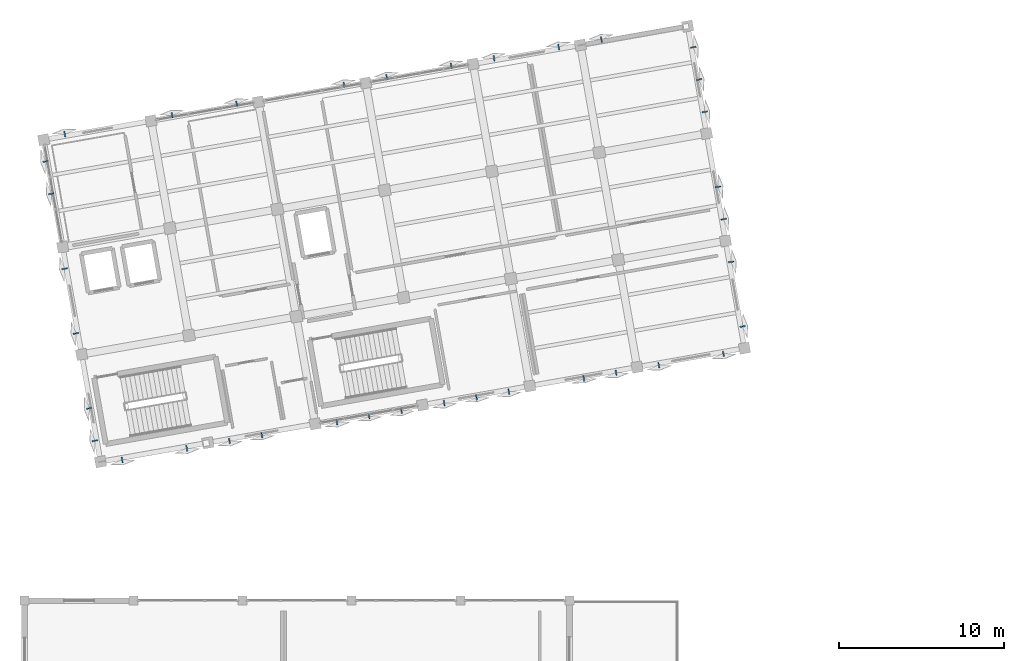
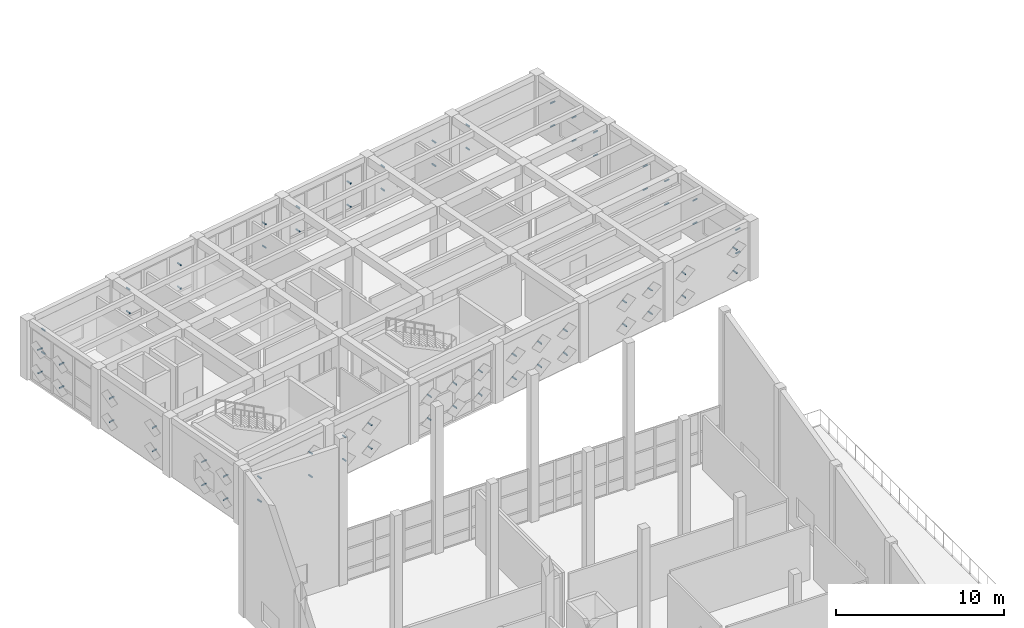
# One storey, part 34 of 39: 72 discrete accessories.
"""IFC4 building model written with IfcOpenShell, lengths in metres."""

from ifc_helpers import new_model, si_unit, direction, frame, origin, origin_2d, place, context, subcontext, project, spatial, hollow_rectangle, extrude, material, type_object, element, save


model = new_model("IFC4")

# Units and contexts
model_context = context("Model", 3, precision=1e-05, world=origin(), true_north=direction((0.0, 1.0)))
body_context = subcontext(model_context, "Body", "Model", "MODEL_VIEW")
ifc_project = project(units=[si_unit("LENGTHUNIT", "METRE"), si_unit("AREAUNIT", "SQUARE_METRE"), si_unit("VOLUMEUNIT", "CUBIC_METRE"), si_unit("PLANEANGLEUNIT", "RADIAN"), si_unit("MASSUNIT", "GRAM", prefix="KILO")], contexts=[model_context])

# Site, building, storey
site_placement = place(None, origin())
site = spatial("IfcSite", under=ifc_project, at=site_placement, CompositionType="ELEMENT")
building_placement = place(site_placement, origin())
building = spatial("IfcBuilding", under=site, at=building_placement, Name="Kharisveld Research Institute", CompositionType="ELEMENT")
storey_placement = place(building_placement, frame((0.0, 0.0, 18.60009765625)))
storey = spatial("IfcBuildingStorey", under=building, at=storey_placement, Name="L04", CompositionType="ELEMENT", Elevation=18.60009765625)

# Discrete accessories
ifc_material = material(Name="Steel S355JR", Category="steel")
discrete_accessory_type = type_object("IfcDiscreteAccessoryType", Name="BKT_ST_260", PredefinedType="BRACKET")
for number, where, z_axis, x_axis, name in (
    (1, (5.031005859375, 36.313720703125, 1.0498046875), (-0.984804615622, -0.173665969752, 0.0), (0.173665969752, -0.984804615622, 0.0), "BKT-SHD:V1:L04:W0:S0C0"),
    (2, (5.031005859375, 36.313720703125, 2.75), (-0.984804615622, -0.173665969752, 0.0), (0.173665969752, -0.984804615622, 0.0), "BKT-SHD:V1:L04:W0:S0C1"),
    (3, (4.68603515625, 38.270263671875, 1.0498046875), (-0.984804615622, -0.173665969752, 0.0), (0.173665969752, -0.984804615622, 0.0), "BKT-SHD:V1:L04:W0:S1C0"),
    (4, (4.68603515625, 38.270263671875, 2.75), (-0.984804615622, -0.173665969752, 0.0), (0.173665969752, -0.984804615622, 0.0), "BKT-SHD:V1:L04:W0:S1C1"),
    (5, (3.885009765625, 42.8134765625, 1.0498046875), (-0.984804615622, -0.173665969752, 0.0), (0.173665969752, -0.984804615622, 0.0), "BKT-SHD:V1:L04:W1:S0C0"),
    (6, (3.885009765625, 42.8134765625, 2.75), (-0.984804615622, -0.173665969752, 0.0), (0.173665969752, -0.984804615622, 0.0), "BKT-SHD:V1:L04:W1:S0C1"),
    (7, (3.195068359375, 46.7265625, 1.0498046875), (-0.984804615622, -0.173665969752, 0.0), (0.173665969752, -0.984804615622, 0.0), "BKT-SHD:V1:L04:W1:S2C0"),
    (8, (3.195068359375, 46.7265625, 2.75), (-0.984804615622, -0.173665969752, 0.0), (0.173665969752, -0.984804615622, 0.0), "BKT-SHD:V1:L04:W1:S2C1"),
):
    element("IfcDiscreteAccessory", number, at=place(storey_placement, frame(where, z_axis=z_axis, x_axis=x_axis)), inside=storey, type_object=discrete_accessory_type, material=ifc_material, Name=name, ObjectType="BRACKET", PredefinedType="BRACKET", context=body_context, shape_type="SweptSolid", body=[
        extrude(hollow_rectangle(XDim=0.080078125, YDim=0.080078125, WallThickness=0.0048828125, at=origin_2d()), origin(), (0.0, 0.0, 1.0), 0.35009765625),
    ])
for number, where, z_axis, x_axis, name in (
    (9, (2.393798828125, 51.269775390625, 1.0498046875), (-0.984783558818, -0.173785333909, 0.0), (0.173785333909, -0.984783558818, 0.0), "BKT-SHD:V1:L04:W2:S1C0"),
    (10, (2.393798828125, 51.269775390625, 2.75), (-0.984783558818, -0.173785333909, 0.0), (0.173785333909, -0.984783558818, 0.0), "BKT-SHD:V1:L04:W2:S1C1"),
    (11, (2.048828125, 53.226318359375, 1.0498046875), (-0.984783558818, -0.173785333909, 0.0), (0.173785333909, -0.984783558818, 0.0), "BKT-SHD:V1:L04:W2:S2C0"),
    (12, (2.048828125, 53.226318359375, 2.75), (-0.984783558818, -0.173785333909, 0.0), (0.173785333909, -0.984783558818, 0.0), "BKT-SHD:V1:L04:W2:S2C1"),
):
    element("IfcDiscreteAccessory", number, at=place(storey_placement, frame(where, z_axis=z_axis, x_axis=x_axis)), inside=storey, type_object=discrete_accessory_type, material=ifc_material, Name=name, ObjectType="BRACKET", PredefinedType="BRACKET", context=body_context, shape_type="SweptSolid", body=[
        extrude(hollow_rectangle(XDim=0.080078125, YDim=0.080078125, WallThickness=0.0048828125, at=origin_2d()), origin(), (0.0, 0.0, 1.0), 0.349853515625),
    ])
for number, where, z_axis, x_axis, name in (
    (13, (3.065673828125, 54.67822265625, 1.0498046875), (-0.173665969752, 0.984804615622, 0.0), (-0.984804615622, -0.173665969752, 0.0), "BKT-SHD:V1:L04:N0:S0C0"),
    (14, (3.065673828125, 54.67822265625, 2.75), (-0.173665969752, 0.984804615622, 0.0), (-0.984804615622, -0.173665969752, 0.0), "BKT-SHD:V1:L04:N0:S0C1"),
    (15, (9.565185546875, 55.82421875, 1.0498046875), (-0.172989428414, 0.984923681133, 0.0), (-0.984923681133, -0.172989428414, 0.0), "BKT-SHD:V1:L04:N1:S0C0"),
    (16, (9.565185546875, 55.82421875, 2.75), (-0.172989428414, 0.984923681133, 0.0), (-0.984923681133, -0.172989428414, 0.0), "BKT-SHD:V1:L04:N1:S0C1"),
    (17, (13.478271484375, 56.51416015625, 1.0498046875), (-0.173665969752, 0.984804615622, 0.0), (-0.984804615622, -0.173665969752, 0.0), "BKT-SHD:V1:L04:N1:S2C0"),
    (18, (13.478271484375, 56.51416015625, 2.75), (-0.173665969752, 0.984804615622, 0.0), (-0.984804615622, -0.173665969752, 0.0), "BKT-SHD:V1:L04:N1:S2C1"),
):
    element("IfcDiscreteAccessory", number, at=place(storey_placement, frame(where, z_axis=z_axis, x_axis=x_axis)), inside=storey, type_object=discrete_accessory_type, material=ifc_material, Name=name, ObjectType="BRACKET", PredefinedType="BRACKET", context=body_context, shape_type="SweptSolid", body=[
        extrude(hollow_rectangle(XDim=0.080078125, YDim=0.080078125, WallThickness=0.0048828125, at=origin_2d()), origin(), (0.0, 0.0, 1.0), 0.35009765625),
    ])
for number, where, z_axis, x_axis, name in (
    (19, (19.97802734375, 57.660400390625, 1.0498046875), (-0.173785333909, 0.984783558818, 0.0), (-0.984783558818, -0.173785333909, 0.0), "BKT-SHD:V1:L04:N2:S2C0"),
    (20, (19.97802734375, 57.660400390625, 2.75), (-0.173785333909, 0.984783558818, 0.0), (-0.984783558818, -0.173785333909, 0.0), "BKT-SHD:V1:L04:N2:S2C1"),
):
    element("IfcDiscreteAccessory", number, at=place(storey_placement, frame(where, z_axis=z_axis, x_axis=x_axis)), inside=storey, type_object=discrete_accessory_type, material=ifc_material, Name=name, ObjectType="BRACKET", PredefinedType="BRACKET", context=body_context, shape_type="SweptSolid", body=[
        extrude(hollow_rectangle(XDim=0.080078125, YDim=0.080078125, WallThickness=0.0048828125, at=origin_2d()), origin(), (0.0, 0.0, 1.0), 0.349853515625),
    ])
for number, where, z_axis, x_axis, name in (
    (21, (22.564697265625, 58.116455078125, 1.0498046875), (-0.173665969752, 0.984804615622, 0.0), (-0.984804615622, -0.173665969752, 0.0), "BKT-SHD:V1:L04:N3:S0C0"),
    (22, (22.564697265625, 58.116455078125, 2.75), (-0.173665969752, 0.984804615622, 0.0), (-0.984804615622, -0.173665969752, 0.0), "BKT-SHD:V1:L04:N3:S0C1"),
    (23, (26.477783203125, 58.806396484375, 1.0498046875), (-0.173665969752, 0.984804615622, 0.0), (-0.984804615622, -0.173665969752, 0.0), "BKT-SHD:V1:L04:N3:S2C0"),
    (24, (26.477783203125, 58.806396484375, 2.75), (-0.173665969752, 0.984804615622, 0.0), (-0.984804615622, -0.173665969752, 0.0), "BKT-SHD:V1:L04:N3:S2C1"),
    (25, (29.064453125, 59.262451171875, 1.0498046875), (-0.173665969752, 0.984804615622, 0.0), (-0.984804615622, -0.173665969752, 0.0), "BKT-SHD:V1:L04:N4:S0C0"),
    (26, (29.064453125, 59.262451171875, 2.75), (-0.173665969752, 0.984804615622, 0.0), (-0.984804615622, -0.173665969752, 0.0), "BKT-SHD:V1:L04:N4:S0C1"),
    (27, (32.9775390625, 59.952392578125, 1.0498046875), (-0.173665969752, 0.984804615622, 0.0), (-0.984804615622, -0.173665969752, 0.0), "BKT-SHD:V1:L04:N4:S2C0"),
    (28, (32.9775390625, 59.952392578125, 2.75), (-0.173665969752, 0.984804615622, 0.0), (-0.984804615622, -0.173665969752, 0.0), "BKT-SHD:V1:L04:N4:S2C1"),
    (29, (35.564208984375, 60.408447265625, 1.0498046875), (-0.173665969752, 0.984804615622, 0.0), (-0.984804615622, -0.173665969752, 0.0), "BKT-SHD:V1:L04:N5:S0C0"),
    (30, (35.564208984375, 60.408447265625, 2.75), (-0.173665969752, 0.984804615622, 0.0), (-0.984804615622, -0.173665969752, 0.0), "BKT-SHD:V1:L04:N5:S0C1"),
    (31, (40.92919921875, 60.081787109375, 1.0498046875), (0.984804615622, 0.173665969752, 0.0), (-0.173665969752, 0.984804615622, 0.0), "BKT-SHD:V1:L04:E3:S0C0"),
    (32, (40.92919921875, 60.081787109375, 2.75), (0.984804615622, 0.173665969752, 0.0), (-0.173665969752, 0.984804615622, 0.0), "BKT-SHD:V1:L04:E3:S0C1"),
    (33, (41.274169921875, 58.12548828125, 1.0498046875), (0.984923681133, 0.172989428414, 0.0), (-0.172989428414, 0.984923681133, 0.0), "BKT-SHD:V1:L04:E3:S1C0"),
    (34, (41.274169921875, 58.12548828125, 2.75), (0.984923681133, 0.172989428414, 0.0), (-0.172989428414, 0.984923681133, 0.0), "BKT-SHD:V1:L04:E3:S1C1"),
    (35, (41.619140625, 56.1689453125, 1.0498046875), (0.984804615622, 0.173665969752, 0.0), (-0.173665969752, 0.984804615622, 0.0), "BKT-SHD:V1:L04:E3:S2C0"),
    (36, (41.619140625, 56.1689453125, 2.75), (0.984804615622, 0.173665969752, 0.0), (-0.173665969752, 0.984804615622, 0.0), "BKT-SHD:V1:L04:E3:S2C1"),
    (37, (42.420166015625, 51.625732421875, 1.0498046875), (0.984804615622, 0.173665969752, 0.0), (-0.173665969752, 0.984804615622, 0.0), "BKT-SHD:V1:L04:E2:S1C0"),
    (38, (42.420166015625, 51.625732421875, 2.75), (0.984804615622, 0.173665969752, 0.0), (-0.173665969752, 0.984804615622, 0.0), "BKT-SHD:V1:L04:E2:S1C1"),
    (39, (42.76513671875, 49.669189453125, 1.0498046875), (0.984804615622, 0.173665969752, 0.0), (-0.173665969752, 0.984804615622, 0.0), "BKT-SHD:V1:L04:E2:S2C0"),
    (40, (42.76513671875, 49.669189453125, 2.75), (0.984804615622, 0.173665969752, 0.0), (-0.173665969752, 0.984804615622, 0.0), "BKT-SHD:V1:L04:E2:S2C1"),
    (41, (43.22119140625, 47.08251953125, 1.0498046875), (0.984923681133, 0.172989428414, 0.0), (-0.172989428414, 0.984923681133, 0.0), "BKT-SHD:V1:L04:E1:S0C0"),
    (42, (43.22119140625, 47.08251953125, 2.75), (0.984923681133, 0.172989428414, 0.0), (-0.172989428414, 0.984923681133, 0.0), "BKT-SHD:V1:L04:E1:S0C1"),
    (43, (43.9111328125, 43.16943359375, 1.0498046875), (0.984804615622, 0.173665969752, 0.0), (-0.173665969752, 0.984804615622, 0.0), "BKT-SHD:V1:L04:E1:S2C0"),
    (44, (43.9111328125, 43.16943359375, 2.75), (0.984804615622, 0.173665969752, 0.0), (-0.173665969752, 0.984804615622, 0.0), "BKT-SHD:V1:L04:E1:S2C1"),
    (45, (42.89453125, 41.717529296875, 1.0498046875), (0.173665969752, -0.984804615622, 0.0), (0.984804615622, 0.173665969752, 0.0), "BKT-SHD:V1:L04:S6:S0C0"),
    (46, (42.89453125, 41.717529296875, 2.75), (0.173665969752, -0.984804615622, 0.0), (0.984804615622, 0.173665969752, 0.0), "BKT-SHD:V1:L04:S6:S0C1"),
    (47, (38.981689453125, 41.027587890625, 1.0498046875), (0.173665969752, -0.984804615622, 0.0), (0.984804615622, 0.173665969752, 0.0), "BKT-SHD:V1:L04:S6:S2C0"),
    (48, (38.981689453125, 41.027587890625, 2.75), (0.173665969752, -0.984804615622, 0.0), (0.984804615622, 0.173665969752, 0.0), "BKT-SHD:V1:L04:S6:S2C1"),
    (49, (36.394775390625, 40.571533203125, 1.0498046875), (0.173665969752, -0.984804615622, 0.0), (0.984804615622, 0.173665969752, 0.0), "BKT-SHD:V1:L04:S5:S0C0"),
    (50, (36.394775390625, 40.571533203125, 2.75), (0.173665969752, -0.984804615622, 0.0), (0.984804615622, 0.173665969752, 0.0), "BKT-SHD:V1:L04:S5:S0C1"),
):
    element("IfcDiscreteAccessory", number, at=place(storey_placement, frame(where, z_axis=z_axis, x_axis=x_axis)), inside=storey, type_object=discrete_accessory_type, material=ifc_material, Name=name, ObjectType="BRACKET", PredefinedType="BRACKET", context=body_context, shape_type="SweptSolid", body=[
        extrude(hollow_rectangle(XDim=0.080078125, YDim=0.080078125, WallThickness=0.0048828125, at=origin_2d()), origin(), (0.0, 0.0, 1.0), 0.35009765625),
    ])
for number, where, z_axis, x_axis, name in (
    (51, (34.4384765625, 40.226318359375, 1.0498046875), (0.173785333909, -0.984783558818, 0.0), (0.984783558818, 0.173785333909, 0.0), "BKT-SHD:V1:L04:S5:S1C0"),
    (52, (34.4384765625, 40.226318359375, 2.75), (0.173785333909, -0.984783558818, 0.0), (0.984783558818, 0.173785333909, 0.0), "BKT-SHD:V1:L04:S5:S1C1"),
):
    element("IfcDiscreteAccessory", number, at=place(storey_placement, frame(where, z_axis=z_axis, x_axis=x_axis)), inside=storey, type_object=discrete_accessory_type, material=ifc_material, Name=name, ObjectType="BRACKET", PredefinedType="BRACKET", context=body_context, shape_type="SweptSolid", body=[
        extrude(hollow_rectangle(XDim=0.080078125, YDim=0.080078125, WallThickness=0.0048828125, at=origin_2d()), origin(), (0.0, 0.0, 1.0), 0.349853515625),
    ])
for number, where, z_axis, x_axis, name in (
    (53, (29.89501953125, 39.42529296875, 1.0498046875), (0.173665969752, -0.984804615622, 0.0), (0.984804615622, 0.173665969752, 0.0), "BKT-SHD:V1:L04:S4:S0C0"),
    (54, (29.89501953125, 39.42529296875, 2.75), (0.173665969752, -0.984804615622, 0.0), (0.984804615622, 0.173665969752, 0.0), "BKT-SHD:V1:L04:S4:S0C1"),
    (55, (27.938720703125, 39.080322265625, 1.0498046875), (0.173665969752, -0.984804615622, 0.0), (0.984804615622, 0.173665969752, 0.0), "BKT-SHD:V1:L04:S4:S1C0"),
    (56, (27.938720703125, 39.080322265625, 2.75), (0.173665969752, -0.984804615622, 0.0), (0.984804615622, 0.173665969752, 0.0), "BKT-SHD:V1:L04:S4:S1C1"),
    (57, (25.982177734375, 38.7353515625, 1.0498046875), (0.173665969752, -0.984804615622, 0.0), (0.984804615622, 0.173665969752, 0.0), "BKT-SHD:V1:L04:S4:S2C0"),
    (58, (25.982177734375, 38.7353515625, 2.75), (0.173665969752, -0.984804615622, 0.0), (0.984804615622, 0.173665969752, 0.0), "BKT-SHD:V1:L04:S4:S2C1"),
    (59, (23.3955078125, 38.279296875, 1.0498046875), (0.172989428414, -0.984923681133, 0.0), (0.984923681133, 0.172989428414, 0.0), "BKT-SHD:V1:L04:S3:S0C0"),
    (60, (23.3955078125, 38.279296875, 2.75), (0.172989428414, -0.984923681133, 0.0), (0.984923681133, 0.172989428414, 0.0), "BKT-SHD:V1:L04:S3:S0C1"),
    (61, (21.43896484375, 37.934326171875, 1.0498046875), (0.173665969752, -0.984804615622, 0.0), (0.984804615622, 0.173665969752, 0.0), "BKT-SHD:V1:L04:S3:S1C0"),
    (62, (21.43896484375, 37.934326171875, 2.75), (0.173665969752, -0.984804615622, 0.0), (0.984804615622, 0.173665969752, 0.0), "BKT-SHD:V1:L04:S3:S1C1"),
    (63, (19.482421875, 37.58935546875, 1.0498046875), (0.173665969752, -0.984804615622, 0.0), (0.984804615622, 0.173665969752, 0.0), "BKT-SHD:V1:L04:S3:S2C0"),
    (64, (19.482421875, 37.58935546875, 2.75), (0.173665969752, -0.984804615622, 0.0), (0.984804615622, 0.173665969752, 0.0), "BKT-SHD:V1:L04:S3:S2C1"),
):
    element("IfcDiscreteAccessory", number, at=place(storey_placement, frame(where, z_axis=z_axis, x_axis=x_axis)), inside=storey, type_object=discrete_accessory_type, material=ifc_material, Name=name, ObjectType="BRACKET", PredefinedType="BRACKET", context=body_context, shape_type="SweptSolid", body=[
        extrude(hollow_rectangle(XDim=0.080078125, YDim=0.080078125, WallThickness=0.0048828125, at=origin_2d()), origin(), (0.0, 0.0, 1.0), 0.35009765625),
    ])
for number, where, z_axis, x_axis, name in (
    (65, (14.939208984375, 36.7880859375, 1.0498046875), (0.173785333909, -0.984783558818, 0.0), (0.984783558818, 0.173785333909, 0.0), "BKT-SHD:V1:L04:S2:S1C0"),
    (66, (14.939208984375, 36.7880859375, 2.75), (0.173785333909, -0.984783558818, 0.0), (0.984783558818, 0.173785333909, 0.0), "BKT-SHD:V1:L04:S2:S1C1"),
    (67, (12.982666015625, 36.443115234375, 1.0498046875), (0.173785333909, -0.984783558818, 0.0), (0.984783558818, 0.173785333909, 0.0), "BKT-SHD:V1:L04:S2:S2C0"),
    (68, (12.982666015625, 36.443115234375, 2.75), (0.173785333909, -0.984783558818, 0.0), (0.984783558818, 0.173785333909, 0.0), "BKT-SHD:V1:L04:S2:S2C1"),
):
    element("IfcDiscreteAccessory", number, at=place(storey_placement, frame(where, z_axis=z_axis, x_axis=x_axis)), inside=storey, type_object=discrete_accessory_type, material=ifc_material, Name=name, ObjectType="BRACKET", PredefinedType="BRACKET", context=body_context, shape_type="SweptSolid", body=[
        extrude(hollow_rectangle(XDim=0.080078125, YDim=0.080078125, WallThickness=0.0048828125, at=origin_2d()), origin(), (0.0, 0.0, 1.0), 0.349853515625),
    ])
for number, where, z_axis, x_axis, name in (
    (69, (10.39599609375, 35.987060546875, 1.0498046875), (0.173665969752, -0.984804615622, 0.0), (0.984804615622, 0.173665969752, 0.0), "BKT-SHD:V1:L04:S1:S0C0"),
    (70, (10.39599609375, 35.987060546875, 2.75), (0.173665969752, -0.984804615622, 0.0), (0.984804615622, 0.173665969752, 0.0), "BKT-SHD:V1:L04:S1:S0C1"),
    (71, (6.48291015625, 35.297119140625, 1.0498046875), (0.173665969752, -0.984804615622, 0.0), (0.984804615622, 0.173665969752, 0.0), "BKT-SHD:V1:L04:S1:S2C0"),
    (72, (6.48291015625, 35.297119140625, 2.75), (0.173665969752, -0.984804615622, 0.0), (0.984804615622, 0.173665969752, 0.0), "BKT-SHD:V1:L04:S1:S2C1"),
):
    element("IfcDiscreteAccessory", number, at=place(storey_placement, frame(where, z_axis=z_axis, x_axis=x_axis)), inside=storey, type_object=discrete_accessory_type, material=ifc_material, Name=name, ObjectType="BRACKET", PredefinedType="BRACKET", context=body_context, shape_type="SweptSolid", body=[
        extrude(hollow_rectangle(XDim=0.080078125, YDim=0.080078125, WallThickness=0.0048828125, at=origin_2d()), origin(), (0.0, 0.0, 1.0), 0.35009765625),
    ])

save(model, "model.ifc")
